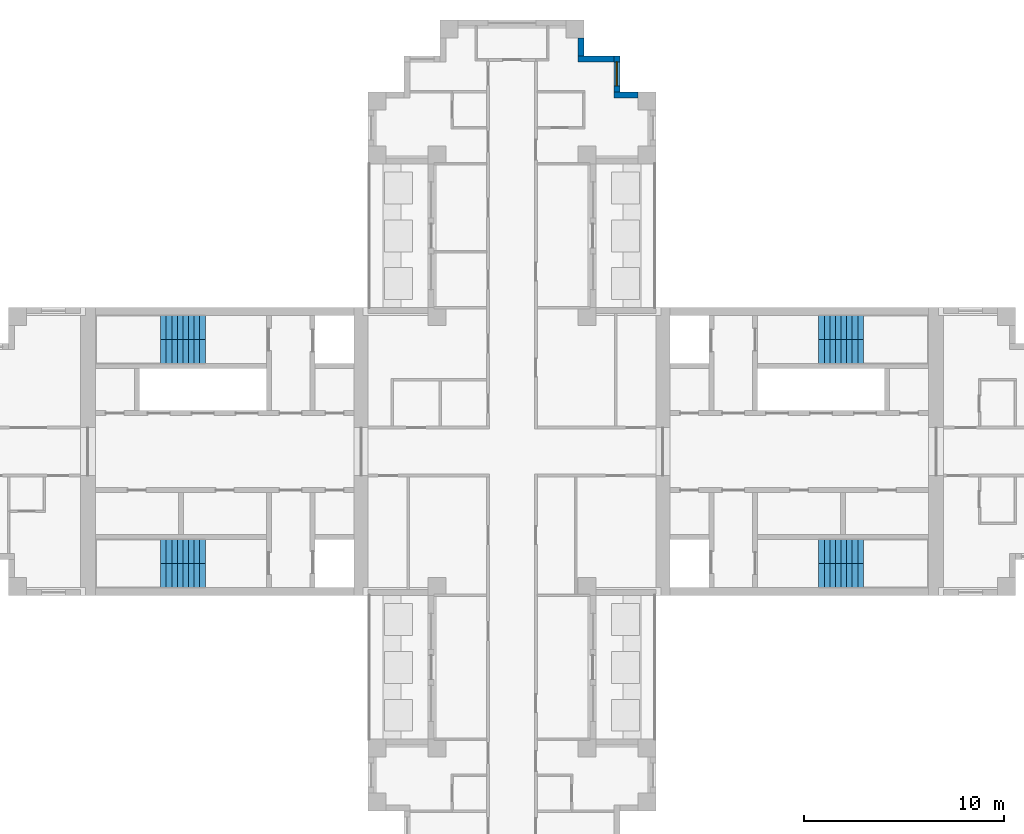
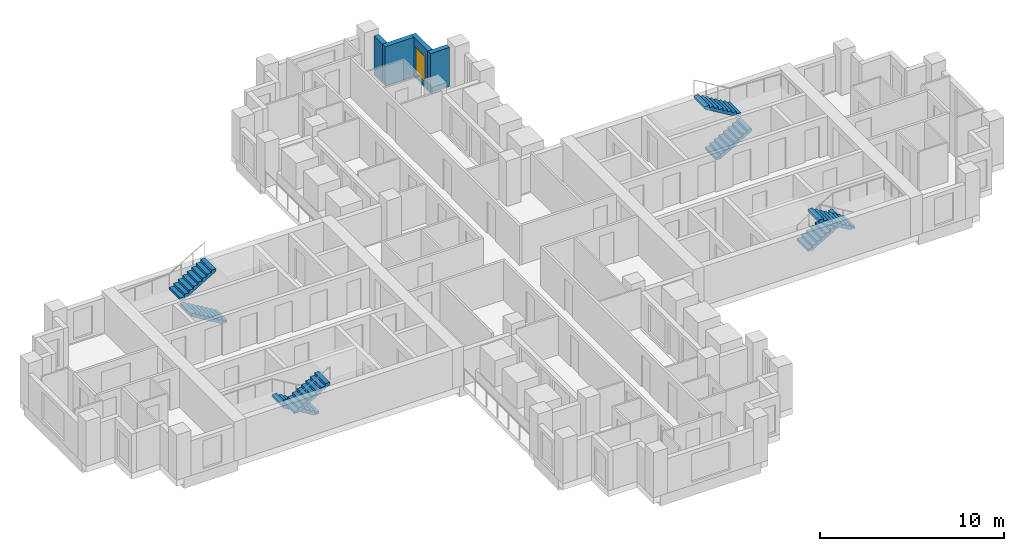
# One storey, part 8 of 10: 8 stair flights, 4 walls, 1 window, 1 opening, 4 elements without a shape of their own.
"""IFC4 building model written with IfcOpenShell, lengths in metres."""

from ifc_helpers import new_model, si_unit, direction, frame, frame_2d, origin, place, context, subcontext, project, spatial, polyline, rectangle, outline, extrude, material, layer, layer_set, type_object, element, fill, aggregate, save


model = new_model("IFC4")

# Units and contexts
model_context = context("Model", 3, precision=1e-05, world=origin(), true_north=direction((0.0, 1.0)))
body_context = subcontext(model_context, "Body", "Model", "MODEL_VIEW")
ifc_project = project(units=[si_unit("LENGTHUNIT", "METRE"), si_unit("AREAUNIT", "SQUARE_METRE"), si_unit("VOLUMEUNIT", "CUBIC_METRE"), si_unit("PLANEANGLEUNIT", "RADIAN"), si_unit("MASSUNIT", "GRAM", prefix="KILO")], contexts=[model_context])

# Site, building, storey
site_placement = place(None, origin())
site = spatial("IfcSite", under=ifc_project, at=site_placement, CompositionType="ELEMENT")
building_placement = place(site_placement, origin())
building = spatial("IfcBuilding", under=site, at=building_placement, Name="Fustian Cross Tower", CompositionType="ELEMENT")
storey_placement = place(building_placement, frame((0.0, 0.0, 225.89990234375)))
storey = spatial("IfcBuildingStorey", under=building, at=storey_placement, Name="L71", CompositionType="ELEMENT", Elevation=225.89990234375)

# Wall
ifc_material_1 = material(Name="Dark aluminium cladding on insulated backing wall", Category="aluminium")
ifc_layer = layer(ifc_material_1, 0.300048828125)
ifc_layer_set = layer_set([ifc_layer], Name="Dark aluminium cladding on insulated backing wall")
wall_type = type_object("IfcWallType", Name="XW1 EXTERNAL WALL 300", PredefinedType="SOLIDWALL", material=ifc_layer_set)
wall_1_placement = place(storey_placement, frame((6.300048828125, 17.85009765625, 0.0), z_axis=(0.0, 0.0, 1.0), x_axis=(-1.0, 0.0, 0.0)))
element("IfcWall", 1, at=wall_1_placement, inside=storey, type_object=wall_type, Name="External wall", PredefinedType="SOLIDWALL", context=body_context, shape_type="SweptSolid", body=[
    extrude(rectangle(XDim=1.199951171875, YDim=0.300048828125, at=frame_2d((0.60009765625, 0.0))), origin(), (0.0, 0.0, 1.0), 2.60009765625),
])

# Wall, opening, window
wall_2_placement = place(storey_placement, frame((5.25, 18.0, 0.0), z_axis=(0.0, 0.0, 1.0), x_axis=(0.0, 1.0, 0.0)))
wall_2 = element("IfcWall", 2, at=wall_2_placement, inside=storey, type_object=wall_type, Name="External wall", PredefinedType="SOLIDWALL", context=body_context, shape_type="SweptSolid", body=[
    extrude(rectangle(XDim=1.800048828125, YDim=0.300048828125, at=frame_2d((0.89990234375, 0.0))), origin(), (0.0, 0.0, 1.0), 2.60009765625),
])
opening_placement = place(wall_2_placement, frame((0.300048828125, 0.0, 0.199951171875)))
opening = element("IfcOpeningElement", 3, at=opening_placement, cuts=wall_2, Name="Opening WN3", PredefinedType="OPENING", context=body_context, shape_type="SweptSolid", body=[
    extrude(rectangle(XDim=1.199951171875, YDim=1.85009765625, at=frame_2d((0.60009765625, 0.925048828125))), frame((0.0, 0.159912109375, 0.0), z_axis=(0.0, -1.0, 0.0), x_axis=(1.0, 0.0, 0.0)), (0.0, 0.0, 1.0), 0.320068359375),
])
ifc_material_2 = material(Name="Dark anodised aluminium and double glazing", Category="aluminium")
window_type = type_object("IfcWindowType", Name="WN3 WINDOW 1200X1850", PartitioningType="SINGLE_PANEL", PredefinedType="WINDOW", material=ifc_material_2)
window_placement = place(opening_placement, origin())
window = element("IfcWindow", 4, at=window_placement, inside=storey, type_object=window_type, Name="Window", OverallHeight=1.85009765625, OverallWidth=1.199951171875, PartitioningType="SINGLE_PANEL", PredefinedType="WINDOW", context=body_context, shape_type="SweptSolid", body=[
    extrude(rectangle(XDim=1.199951171875, YDim=1.85009765625, at=frame_2d((0.60009765625, 0.925048828125))), frame((0.0, 0.030029296875, 0.0), z_axis=(0.0, -1.0, 0.0), x_axis=(1.0, 0.0, 0.0)), (0.0, 0.0, 1.0), 0.06005859375),
])
fill(opening, window)

# Walls
wall_3_placement = place(storey_placement, frame((5.10009765625, 19.64990234375, 0.0), z_axis=(0.0, 0.0, 1.0), x_axis=(-1.0, 0.0, 0.0)))
element("IfcWall", 5, at=wall_3_placement, inside=storey, type_object=wall_type, Name="External wall", PredefinedType="SOLIDWALL", context=body_context, shape_type="SweptSolid", body=[
    extrude(rectangle(XDim=1.800048828125, YDim=0.300048828125, at=frame_2d((0.89990234375, 0.0))), origin(), (0.0, 0.0, 1.0), 2.60009765625),
])
wall_4_placement = place(storey_placement, frame((3.449951171875, 19.800048828125, 0.0), z_axis=(0.0, 0.0, 1.0), x_axis=(0.0, 1.0, 0.0)))
element("IfcWall", 6, at=wall_4_placement, inside=storey, type_object=wall_type, Name="External wall", PredefinedType="SOLIDWALL", context=body_context, shape_type="SweptSolid", body=[
    extrude(rectangle(XDim=0.89990234375, YDim=0.300048828125, at=frame_2d((0.449951171875, 0.0))), origin(), (0.0, 0.0, 1.0), 2.60009765625),
])

# Stair, stair flights
ifc_material_3 = material(Name="Concrete C50/60", Category="concrete")
stair_type = type_object("IfcStairType", Name="STAIR 1200 HALF TURN", PredefinedType="HALF_TURN_STAIR", material=ifc_material_3)
stair_1_placement = place(storey_placement, origin())
stair_1 = element("IfcStair", 7, at=stair_1_placement, inside=storey, type_object=stair_type, Name="Stair ST1", PredefinedType="HALF_TURN_STAIR")
ifc_material_4 = material(Name="Concrete C50/60", Category="concrete")
stair_flight_type = type_object("IfcStairFlightType", Name="STAIR FLIGHT 1200", PredefinedType="STRAIGHT", material=ifc_material_4)
stair_flight_1_placement = place(storey_placement, frame((15.35009765625, 5.0, 0.0), z_axis=(0.0, 0.0, 1.0), x_axis=(1.0, 0.0, 0.0)))
stair_flight_1 = element("IfcStairFlight", 8, at=stair_flight_1_placement, type_object=stair_flight_type, Name="ST1 flight 1", NumberOfRisers=9, NumberOfTreads=8, PredefinedType="STRAIGHT", RiserHeight=0.166666667, TreadLength=0.28, context=body_context, shape_type="SweptSolid", body=[
    extrude(outline(polyline([(0.0, 0.0), (0.0, 0.166748046875), (0.280029296875, 0.166748046875), (0.280029296875, 0.333251953125), (0.56005859375, 0.333251953125), (0.56005859375, 0.5), (0.840087890625, 0.5), (0.840087890625, 0.666748046875), (1.1201171875, 0.666748046875), (1.1201171875, 0.833251953125), (1.39990234375, 0.833251953125), (1.39990234375, 1.0), (1.679931640625, 1.0), (1.679931640625, 1.166748046875), (1.9599609375, 1.166748046875), (1.9599609375, 1.333251953125), (2.239990234375, 1.333251953125), (2.239990234375, 1.5), (2.239990234375, 1.158935546875), (0.29296875, 0.0), (0.0, 0.0)])), frame((0.0, 0.60009765625, 0.0), z_axis=(0.0, -1.0, 0.0), x_axis=(1.0, 0.0, 0.0)), (0.0, 0.0, 1.0), 1.199951171875),
])
stair_flight_2_placement = place(storey_placement, frame((17.590087890625, 6.199951171875, 1.5), z_axis=(0.0, 0.0, 1.0), x_axis=(-1.0, 0.0, 0.0)))
stair_flight_2 = element("IfcStairFlight", 9, at=stair_flight_2_placement, type_object=stair_flight_type, Name="ST1 flight 2", NumberOfRisers=9, NumberOfTreads=8, PredefinedType="STRAIGHT", RiserHeight=0.166666667, TreadLength=0.28, context=body_context, shape_type="SweptSolid", body=[
    extrude(outline(polyline([(0.0, 0.0), (0.0, 0.166748046875), (0.280029296875, 0.166748046875), (0.280029296875, 0.333251953125), (0.56005859375, 0.333251953125), (0.56005859375, 0.5), (0.840087890625, 0.5), (0.840087890625, 0.666748046875), (1.1201171875, 0.666748046875), (1.1201171875, 0.833251953125), (1.39990234375, 0.833251953125), (1.39990234375, 1.0), (1.679931640625, 1.0), (1.679931640625, 1.166748046875), (1.9599609375, 1.166748046875), (1.9599609375, 1.333251953125), (2.239990234375, 1.333251953125), (2.239990234375, 1.5), (2.239990234375, 1.158935546875), (0.29296875, 0.0), (0.0, 0.0)])), frame((0.0, 0.60009765625, 0.0), z_axis=(0.0, -1.0, 0.0), x_axis=(1.0, 0.0, 0.0)), (0.0, 0.0, 1.0), 1.199951171875),
])
aggregate(stair_1, [stair_flight_1, stair_flight_2])

stair_2_placement = place(storey_placement, origin())
stair_2 = element("IfcStair", 10, at=stair_2_placement, inside=storey, type_object=stair_type, Name="Stair ST2", PredefinedType="HALF_TURN_STAIR")
stair_flight_3_placement = place(storey_placement, frame((15.35009765625, -5.0, 0.0), z_axis=(0.0, 0.0, 1.0), x_axis=(1.0, 0.0, 0.0)))
stair_flight_3 = element("IfcStairFlight", 11, at=stair_flight_3_placement, type_object=stair_flight_type, Name="ST2 flight 1", NumberOfRisers=9, NumberOfTreads=8, PredefinedType="STRAIGHT", RiserHeight=0.166666667, TreadLength=0.28, context=body_context, shape_type="SweptSolid", body=[
    extrude(outline(polyline([(0.0, 0.0), (0.0, 0.166748046875), (0.280029296875, 0.166748046875), (0.280029296875, 0.333251953125), (0.56005859375, 0.333251953125), (0.56005859375, 0.5), (0.840087890625, 0.5), (0.840087890625, 0.666748046875), (1.1201171875, 0.666748046875), (1.1201171875, 0.833251953125), (1.39990234375, 0.833251953125), (1.39990234375, 1.0), (1.679931640625, 1.0), (1.679931640625, 1.166748046875), (1.9599609375, 1.166748046875), (1.9599609375, 1.333251953125), (2.239990234375, 1.333251953125), (2.239990234375, 1.5), (2.239990234375, 1.158935546875), (0.29296875, 0.0), (0.0, 0.0)])), frame((0.0, 0.60009765625, 0.0), z_axis=(0.0, -1.0, 0.0), x_axis=(1.0, 0.0, 0.0)), (0.0, 0.0, 1.0), 1.199951171875),
])
stair_flight_4_placement = place(storey_placement, frame((17.590087890625, -6.199951171875, 1.5), z_axis=(0.0, 0.0, 1.0), x_axis=(-1.0, 0.0, 0.0)))
stair_flight_4 = element("IfcStairFlight", 12, at=stair_flight_4_placement, type_object=stair_flight_type, Name="ST2 flight 2", NumberOfRisers=9, NumberOfTreads=8, PredefinedType="STRAIGHT", RiserHeight=0.166666667, TreadLength=0.28, context=body_context, shape_type="SweptSolid", body=[
    extrude(outline(polyline([(0.0, 0.0), (0.0, 0.166748046875), (0.280029296875, 0.166748046875), (0.280029296875, 0.333251953125), (0.56005859375, 0.333251953125), (0.56005859375, 0.5), (0.840087890625, 0.5), (0.840087890625, 0.666748046875), (1.1201171875, 0.666748046875), (1.1201171875, 0.833251953125), (1.39990234375, 0.833251953125), (1.39990234375, 1.0), (1.679931640625, 1.0), (1.679931640625, 1.166748046875), (1.9599609375, 1.166748046875), (1.9599609375, 1.333251953125), (2.239990234375, 1.333251953125), (2.239990234375, 1.5), (2.239990234375, 1.158935546875), (0.29296875, 0.0), (0.0, 0.0)])), frame((0.0, 0.60009765625, 0.0), z_axis=(0.0, -1.0, 0.0), x_axis=(1.0, 0.0, 0.0)), (0.0, 0.0, 1.0), 1.199951171875),
])
aggregate(stair_2, [stair_flight_3, stair_flight_4])

stair_3_placement = place(storey_placement, origin())
stair_3 = element("IfcStair", 13, at=stair_3_placement, inside=storey, type_object=stair_type, Name="Stair ST3", PredefinedType="HALF_TURN_STAIR")
stair_flight_5_placement = place(storey_placement, frame((-15.35009765625, 5.0, 0.0), z_axis=(0.0, 0.0, 1.0), x_axis=(-1.0, 0.0, 0.0)))
stair_flight_5 = element("IfcStairFlight", 14, at=stair_flight_5_placement, type_object=stair_flight_type, Name="ST3 flight 1", NumberOfRisers=9, NumberOfTreads=8, PredefinedType="STRAIGHT", RiserHeight=0.166666667, TreadLength=0.28, context=body_context, shape_type="SweptSolid", body=[
    extrude(outline(polyline([(0.0, 0.0), (0.0, 0.166748046875), (0.280029296875, 0.166748046875), (0.280029296875, 0.333251953125), (0.56005859375, 0.333251953125), (0.56005859375, 0.5), (0.840087890625, 0.5), (0.840087890625, 0.666748046875), (1.1201171875, 0.666748046875), (1.1201171875, 0.833251953125), (1.39990234375, 0.833251953125), (1.39990234375, 1.0), (1.679931640625, 1.0), (1.679931640625, 1.166748046875), (1.9599609375, 1.166748046875), (1.9599609375, 1.333251953125), (2.239990234375, 1.333251953125), (2.239990234375, 1.5), (2.239990234375, 1.158935546875), (0.29296875, 0.0), (0.0, 0.0)])), frame((0.0, 0.60009765625, 0.0), z_axis=(0.0, -1.0, 0.0), x_axis=(1.0, 0.0, 0.0)), (0.0, 0.0, 1.0), 1.199951171875),
])
stair_flight_6_placement = place(storey_placement, frame((-17.590087890625, 6.199951171875, 1.5), z_axis=(0.0, 0.0, 1.0), x_axis=(1.0, 0.0, 0.0)))
stair_flight_6 = element("IfcStairFlight", 15, at=stair_flight_6_placement, type_object=stair_flight_type, Name="ST3 flight 2", NumberOfRisers=9, NumberOfTreads=8, PredefinedType="STRAIGHT", RiserHeight=0.166666667, TreadLength=0.28, context=body_context, shape_type="SweptSolid", body=[
    extrude(outline(polyline([(0.0, 0.0), (0.0, 0.166748046875), (0.280029296875, 0.166748046875), (0.280029296875, 0.333251953125), (0.56005859375, 0.333251953125), (0.56005859375, 0.5), (0.840087890625, 0.5), (0.840087890625, 0.666748046875), (1.1201171875, 0.666748046875), (1.1201171875, 0.833251953125), (1.39990234375, 0.833251953125), (1.39990234375, 1.0), (1.679931640625, 1.0), (1.679931640625, 1.166748046875), (1.9599609375, 1.166748046875), (1.9599609375, 1.333251953125), (2.239990234375, 1.333251953125), (2.239990234375, 1.5), (2.239990234375, 1.158935546875), (0.29296875, 0.0), (0.0, 0.0)])), frame((0.0, 0.60009765625, 0.0), z_axis=(0.0, -1.0, 0.0), x_axis=(1.0, 0.0, 0.0)), (0.0, 0.0, 1.0), 1.199951171875),
])
aggregate(stair_3, [stair_flight_5, stair_flight_6])

stair_4_placement = place(storey_placement, origin())
stair_4 = element("IfcStair", 16, at=stair_4_placement, inside=storey, type_object=stair_type, Name="Stair ST4", PredefinedType="HALF_TURN_STAIR")
stair_flight_7_placement = place(storey_placement, frame((-15.35009765625, -5.0, 0.0), z_axis=(0.0, 0.0, 1.0), x_axis=(-1.0, 0.0, 0.0)))
stair_flight_7 = element("IfcStairFlight", 17, at=stair_flight_7_placement, type_object=stair_flight_type, Name="ST4 flight 1", NumberOfRisers=9, NumberOfTreads=8, PredefinedType="STRAIGHT", RiserHeight=0.166666667, TreadLength=0.28, context=body_context, shape_type="SweptSolid", body=[
    extrude(outline(polyline([(0.0, 0.0), (0.0, 0.166748046875), (0.280029296875, 0.166748046875), (0.280029296875, 0.333251953125), (0.56005859375, 0.333251953125), (0.56005859375, 0.5), (0.840087890625, 0.5), (0.840087890625, 0.666748046875), (1.1201171875, 0.666748046875), (1.1201171875, 0.833251953125), (1.39990234375, 0.833251953125), (1.39990234375, 1.0), (1.679931640625, 1.0), (1.679931640625, 1.166748046875), (1.9599609375, 1.166748046875), (1.9599609375, 1.333251953125), (2.239990234375, 1.333251953125), (2.239990234375, 1.5), (2.239990234375, 1.158935546875), (0.29296875, 0.0), (0.0, 0.0)])), frame((0.0, 0.60009765625, 0.0), z_axis=(0.0, -1.0, 0.0), x_axis=(1.0, 0.0, 0.0)), (0.0, 0.0, 1.0), 1.199951171875),
])
stair_flight_8_placement = place(storey_placement, frame((-17.590087890625, -6.199951171875, 1.5), z_axis=(0.0, 0.0, 1.0), x_axis=(1.0, 0.0, 0.0)))
stair_flight_8 = element("IfcStairFlight", 18, at=stair_flight_8_placement, type_object=stair_flight_type, Name="ST4 flight 2", NumberOfRisers=9, NumberOfTreads=8, PredefinedType="STRAIGHT", RiserHeight=0.166666667, TreadLength=0.28, context=body_context, shape_type="SweptSolid", body=[
    extrude(outline(polyline([(0.0, 0.0), (0.0, 0.166748046875), (0.280029296875, 0.166748046875), (0.280029296875, 0.333251953125), (0.56005859375, 0.333251953125), (0.56005859375, 0.5), (0.840087890625, 0.5), (0.840087890625, 0.666748046875), (1.1201171875, 0.666748046875), (1.1201171875, 0.833251953125), (1.39990234375, 0.833251953125), (1.39990234375, 1.0), (1.679931640625, 1.0), (1.679931640625, 1.166748046875), (1.9599609375, 1.166748046875), (1.9599609375, 1.333251953125), (2.239990234375, 1.333251953125), (2.239990234375, 1.5), (2.239990234375, 1.158935546875), (0.29296875, 0.0), (0.0, 0.0)])), frame((0.0, 0.60009765625, 0.0), z_axis=(0.0, -1.0, 0.0), x_axis=(1.0, 0.0, 0.0)), (0.0, 0.0, 1.0), 1.199951171875),
])
aggregate(stair_4, [stair_flight_7, stair_flight_8])

save(model, "model.ifc")
